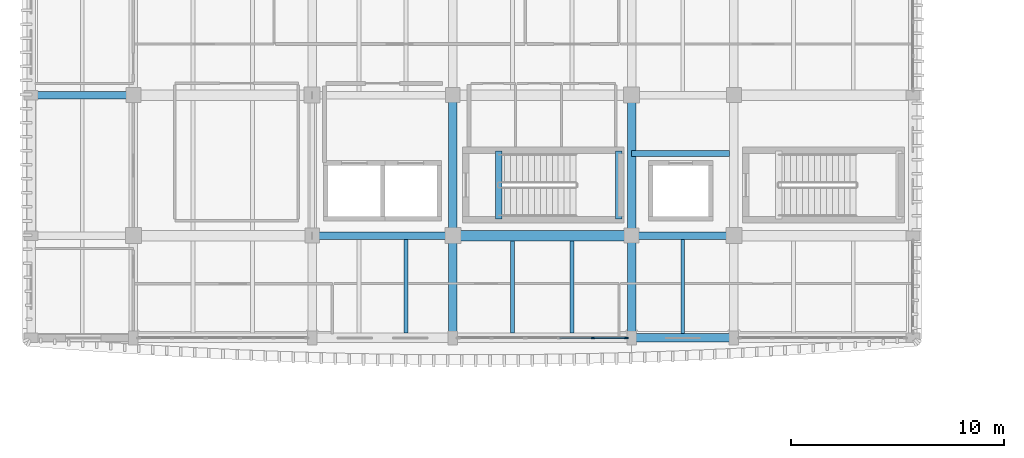
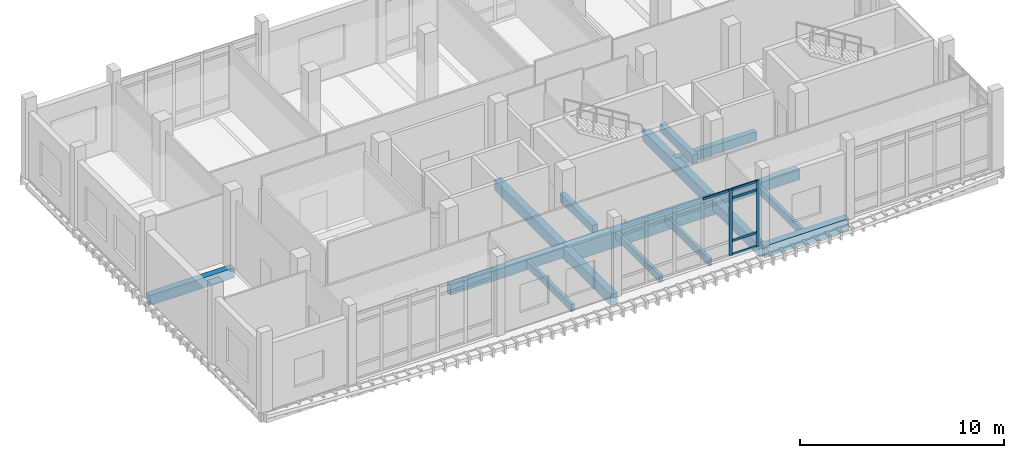
# One storey, part 3 of 39: 16 beams, 7 members, 1 element without a shape of its own.
"""IFC4 building model written with IfcOpenShell, lengths in metres."""

import ifcopenshell
import ifcopenshell.guid

model = None  # the IFC model being written
_history = None  # IfcOwnerHistory: only IFC2X3 demands one
_inside = {}  # id of a spatial element -> (the spatial element, [elements in it])
_under = {}  # id of a project, library or spatial element -> (it, [spatial elements below it])
_declared = {}  # id of a project -> (the project, [libraries it declares])
_typed = {}  # id of a type object -> (the type object, [elements of that type])
_made_of = {}  # id of a material, layer set ... -> (it, [elements and type objects made of it])


def new_model(schema):
    """Start an empty IFC model of exactly this schema.

    Asked for "IFC4X3", IfcOpenShell would pick the latest addendum, in which some entities
    have other attributes; the version numbers below select the first issue.
    IFC2X3 requires an IfcOwnerHistory on every rooted entity: one is made here for all.
    """
    global model, _history
    if schema == "IFC4X3":
        model = ifcopenshell.file(schema_version=(4, 3, 0, 0))
    else:
        model = ifcopenshell.file(schema=schema)
    _inside.clear()
    _under.clear()
    _declared.clear()
    _typed.clear()
    _made_of.clear()
    _history = None
    if model.schema == "IFC2X3":
        org = make("IfcOrganization", Name="unknown")
        user = make(
            "IfcPersonAndOrganization",
            ThePerson=make("IfcPerson", FamilyName="unknown"),
            TheOrganization=org,
        )
        app = make(
            "IfcApplication",
            ApplicationDeveloper=org,
            Version="unknown",
            ApplicationFullName="unknown",
            ApplicationIdentifier="unknown",
        )
        _history = make(
            "IfcOwnerHistory",
            OwningUser=user,
            OwningApplication=app,
            ChangeAction="ADDED",
            CreationDate=0,
        )
    return model


def make(cls, **values):
    """One entity of the class cls with the attributes given. An attribute that is None is left unset."""
    return model.create_entity(
        cls, **{name: value for name, value in values.items() if value is not None}
    )


def rooted(cls, **values):
    """An entity with a GlobalId (a new one), such as an element, a storey or a relation."""
    return make(cls, GlobalId=ifcopenshell.guid.new(), OwnerHistory=_history, **values)


def si_unit(unit_type, name, prefix=None):
    """IfcSIUnit, for example si_unit("LENGTHUNIT", "METRE", prefix="MILLI")."""
    return make("IfcSIUnit", UnitType=unit_type, Prefix=prefix, Name=name)


def assignment(units):
    """IfcUnitAssignment: the units of a project."""
    return None if units is None else make("IfcUnitAssignment", Units=units)


def point(xyz):
    """IfcCartesianPoint."""
    return None if xyz is None else make("IfcCartesianPoint", Coordinates=xyz)


def direction(xyz):
    """IfcDirection."""
    return None if xyz is None else make("IfcDirection", DirectionRatios=xyz)


def frame(location, z_axis=None, x_axis=None):
    """IfcAxis2Placement3D, a coordinate frame: its origin and axes. An axis left out is left unset."""
    return make(
        "IfcAxis2Placement3D",
        Location=point(location),
        Axis=direction(z_axis),
        RefDirection=direction(x_axis),
    )


def frame_2d(location, x_axis=None):
    """IfcAxis2Placement2D, a coordinate frame in the plane: its origin and x axis."""
    return make(
        "IfcAxis2Placement2D", Location=point(location), RefDirection=direction(x_axis)
    )


def origin():
    """The frame at (0, 0, 0) with its axes left unset."""
    return frame((0.0, 0.0, 0.0))


def origin_2d():
    """The frame at (0, 0) in the plane with its x axis left unset."""
    return frame_2d((0.0, 0.0))


def place(relative_to, where):
    """IfcLocalPlacement: puts the frame where relative to a parent placement (None: the world)."""
    return make(
        "IfcLocalPlacement", PlacementRelTo=relative_to, RelativePlacement=where
    )


def context(
    kind, dimensions, precision=None, world=None, true_north=None, identifier=None
):
    """IfcGeometricRepresentationContext, for example the 3D "Model" context."""
    return make(
        "IfcGeometricRepresentationContext",
        ContextIdentifier=identifier,
        ContextType=kind,
        CoordinateSpaceDimension=dimensions,
        Precision=precision,
        WorldCoordinateSystem=world,
        TrueNorth=true_north,
    )


def subcontext(parent, identifier, kind, view, scale=None):
    """IfcGeometricRepresentationSubContext, for example "Body" below "Model"."""
    return make(
        "IfcGeometricRepresentationSubContext",
        ContextIdentifier=identifier,
        ContextType=kind,
        ParentContext=parent,
        TargetScale=scale,
        TargetView=view,
    )


def project(units=None, contexts=None):
    """IfcProject with its units and contexts."""
    return rooted(
        "IfcProject",
        Name="project",
        RepresentationContexts=contexts,
        UnitsInContext=assignment(units),
    )


def spatial(cls, under=None, at=None, **own):
    """A site, building, storey or space (cls), placed at a placement, below another one or the project."""
    s = rooted(cls, ObjectPlacement=at, **own)
    if under is not None:
        _under.setdefault(under.id(), (under, []))[1].append(s)
    return s


def profile(cls, at=None, kind="AREA", **sizes):
    """A parametric profile (cls). Its sizes go by their IFC names, for example OverallWidth=200.0."""
    return make(cls, ProfileType=kind, Position=at, **sizes)


def rectangle(**sizes):
    """IfcRectangleProfileDef."""
    return profile("IfcRectangleProfileDef", **sizes)


def extrude(swept, where, along, depth):
    """IfcExtrudedAreaSolid: the profile swept, set in the frame where, extruded along a direction by depth."""
    return make(
        "IfcExtrudedAreaSolid",
        SweptArea=swept,
        Position=where,
        ExtrudedDirection=direction(along),
        Depth=depth,
    )


def shape(context_of_items, identifier, shape_type, items):
    """IfcShapeRepresentation: the items that make up one representation, for example the "Body"."""
    return make(
        "IfcShapeRepresentation",
        ContextOfItems=context_of_items,
        RepresentationIdentifier=identifier,
        RepresentationType=shape_type,
        Items=items,
    )


def material(Name=None, Category=None):
    """IfcMaterial."""
    return make("IfcMaterial", Name=Name, Category=Category)


def material_profile(
    of_material, cross_section, Name=None, Category=None, Priority=None
):
    """IfcMaterialProfile: a cross section and its material."""
    return make(
        "IfcMaterialProfile",
        Name=Name,
        Material=of_material,
        Profile=cross_section,
        Priority=Priority,
        Category=Category,
    )


def profile_set(profiles, Name=None, composite=None):
    """IfcMaterialProfileSet."""
    return make(
        "IfcMaterialProfileSet",
        Name=Name,
        MaterialProfiles=profiles,
        CompositeProfile=composite,
    )


def made_of(thing, what):
    """Note that an element or type object is made of a material, layer set ...; save() writes the relation."""
    if what is not None:
        _made_of.setdefault(what.id(), (what, []))[1].append(thing)
    return thing


def type_object(cls, material=None, **own):
    """A type object (cls), such as IfcWallType, which elements share."""
    return made_of(rooted(cls, **own), material)


def element(
    cls,
    number,
    at=None,
    inside=None,
    cuts=None,
    type_object=None,
    material=None,
    context=None,
    identifier="Body",
    shape_type=None,
    held_by="IfcProductDefinitionShape",
    body=None,
    shapes=None,
    **own,
):
    """One element of the class cls, such as IfcWall. Its Tag is "e" and its number.

    at: its placement. inside: the storey or other place that contains it. cuts: it is an
    opening in that element (IfcRelVoidsElement). A single representation is given by context,
    identifier, shape_type and body (its items); several are given by shapes. held_by: the class
    of the entity that holds the representations. save() writes the other relations.
    """
    e = rooted(cls, Tag="e%d" % number, ObjectPlacement=at, **own)
    if body is not None:
        shapes = [shape(context, identifier, shape_type, body)]
    if shapes is not None:
        e.Representation = make(held_by, Representations=shapes)
    if inside is not None:
        _inside.setdefault(inside.id(), (inside, []))[1].append(e)
    if cuts is not None:
        rooted(
            "IfcRelVoidsElement", RelatingBuildingElement=cuts, RelatedOpeningElement=e
        )
    if type_object is not None:
        _typed.setdefault(type_object.id(), (type_object, []))[1].append(e)
    return made_of(e, material)


def aggregate(whole, parts):
    """IfcRelAggregates: a whole, such as a stair, and the parts it consists of."""
    return rooted("IfcRelAggregates", RelatingObject=whole, RelatedObjects=parts)


def save(model, path):
    """Write the relations noted so far, then the file.

    IfcRelAggregates (storeys below a building ...), IfcRelContainedInSpatialStructure (elements
    in a storey), IfcRelDefinesByType, IfcRelAssociatesMaterial and IfcRelDeclares: one each for
    every whole, place, type object, material and project.
    """
    for whole, parts in _under.values():
        aggregate(whole, parts)
    for where, things in _inside.values():
        rooted(
            "IfcRelContainedInSpatialStructure",
            RelatedElements=things,
            RelatingStructure=where,
        )
    for kind, things in _typed.values():
        rooted("IfcRelDefinesByType", RelatedObjects=things, RelatingType=kind)
    for what, things in _made_of.values():
        rooted("IfcRelAssociatesMaterial", RelatedObjects=things, RelatingMaterial=what)
    for by, libraries in _declared.values():
        rooted("IfcRelDeclares", RelatingContext=by, RelatedDefinitions=libraries)
    model.write(path)


model = new_model("IFC4")

# Units and contexts
model_context = context("Model", 3, precision=1e-05, world=origin(), true_north=direction((0.0, 1.0)))
body_context = subcontext(model_context, "Body", "Model", "MODEL_VIEW")
ifc_project = project(units=[si_unit("LENGTHUNIT", "METRE"), si_unit("AREAUNIT", "SQUARE_METRE"), si_unit("VOLUMEUNIT", "CUBIC_METRE"), si_unit("PLANEANGLEUNIT", "RADIAN"), si_unit("MASSUNIT", "GRAM", prefix="KILO")], contexts=[model_context])

# Site, building, storey
site_placement = place(None, origin())
site = spatial("IfcSite", under=ifc_project, at=site_placement, CompositionType="ELEMENT")
building_placement = place(site_placement, origin())
building = spatial("IfcBuilding", under=site, at=building_placement, Name="Dornvale Research Institute", CompositionType="ELEMENT")
storey_placement = place(building_placement, frame((0.0, 0.0, 24.60009765625)))
storey = spatial("IfcBuildingStorey", under=building, at=storey_placement, Name="L05", CompositionType="ELEMENT", Elevation=24.60009765625)

# Beams
ifc_material_1 = material(Name="Concrete f'c 45 MPa (C35/45)", Category="concrete")
ifc_material_profile_1 = material_profile(ifc_material_1, rectangle(XDim=0.300048828125, YDim=0.5, at=origin_2d()), Name="RC 300x500")
ifc_profile_set_1 = profile_set([ifc_material_profile_1], Name="Concrete f'c 45 MPa (C35/45)")
beam_type_1 = type_object("IfcBeamType", Name="Beam_RC300x500_Trim", PredefinedType="BEAM", material=ifc_profile_set_1)
for number, where, z_axis, x_axis, name in (
    (1, (21.949951171875, 104.580078125, -0.25), (0.0, 1.0, 0.0), (-1.0, 0.0, 0.0), "L05 ST-1 stair landing trimmer beam #6"),
    (2, (27.60009765625, 104.580078125, 1.949951171875), (0.0, 1.0, 0.0), (-1.0, 0.0, 0.0), "L05 ST-1 half-landing support beam #19"),
):
    element("IfcBeam", number, at=place(storey_placement, frame(where, z_axis=z_axis, x_axis=x_axis)), inside=storey, type_object=beam_type_1, Name=name, PredefinedType="BEAM", context=body_context, shape_type="SweptSolid", body=[
        extrude(rectangle(XDim=0.300048828125, YDim=0.5, at=origin_2d()), origin(), (0.0, 0.0, 1.0), 3.199951171875),
    ])
ifc_material_2 = material(Name="Concrete f'c 45 MPa (C35/45)", Category="concrete")
ifc_material_profile_2 = material_profile(ifc_material_2, rectangle(XDim=0.35009765625, YDim=0.60009765625, at=origin_2d()), Name="RC 350x600")
ifc_profile_set_2 = profile_set([ifc_material_profile_2], Name="Concrete f'c 45 MPa (C35/45)")
beam_type_2 = type_object("IfcBeamType", Name="Beam_RC350x600_Floor", PredefinedType="BEAM", material=ifc_profile_set_2)
beam_1_placement = place(storey_placement, frame((13.199951171875, 103.800048828125, -0.300048828125), z_axis=(1.0, 0.0, 0.0), x_axis=(0.0, 1.0, 0.0)))
element("IfcBeam", 3, at=beam_1_placement, inside=storey, type_object=beam_type_2, Name="L05 primary girder #1331", PredefinedType="BEAM", context=body_context, shape_type="SweptSolid", body=[
    extrude(rectangle(XDim=0.35009765625, YDim=0.60009765625, at=origin_2d()), origin(), (0.0, 0.0, 1.0), 6.60009765625),
])
for number, where, z_axis, x_axis, name in (
    (4, (28.199951171875, 103.800048828125, -0.300048828125), (1.0, 0.0, 0.0), (0.0, 1.0, 0.0), "L05 primary girder #1333"),
    (5, (0.0, 110.39990234375, -0.300048828125), (1.0, 0.0, 0.0), (0.0, 1.0, 0.0), "L05 primary girder #1335"),
):
    element("IfcBeam", number, at=place(storey_placement, frame(where, z_axis=z_axis, x_axis=x_axis)), inside=storey, type_object=beam_type_2, Name=name, PredefinedType="BEAM", context=body_context, shape_type="SweptSolid", body=[
        extrude(rectangle(XDim=0.35009765625, YDim=0.60009765625, at=origin_2d()), origin(), (0.0, 0.0, 1.0), 4.800048828125),
    ])
ifc_material_3 = material(Name="Concrete f'c 45 MPa (C35/45)", Category="concrete")
ifc_material_profile_3 = material_profile(ifc_material_3, rectangle(XDim=0.39990234375, YDim=0.64990234375, at=origin_2d()), Name="RC 400x650")
ifc_profile_set_3 = profile_set([ifc_material_profile_3], Name="Concrete f'c 45 MPa (C35/45)")
beam_type_3 = type_object("IfcBeamType", Name="Beam_RC400x650_Floor", PredefinedType="BEAM", material=ifc_profile_set_3)
beam_2_placement = place(storey_placement, frame((19.800048828125, 99.0, -0.3251953125), z_axis=(0.0, 1.0, 0.0), x_axis=(-1.0, 0.0, 0.0)))
element("IfcBeam", 6, at=beam_2_placement, inside=storey, type_object=beam_type_3, Name="L05 transverse girder #1365", PredefinedType="BEAM", context=body_context, shape_type="SweptSolid", body=[
    extrude(rectangle(XDim=0.39990234375, YDim=0.64990234375, at=origin_2d()), origin(), (0.0, 0.0, 1.0), 4.800048828125),
])
beam_3_placement = place(storey_placement, frame((19.800048828125, 103.800048828125, -0.3251953125), z_axis=(0.0, 1.0, 0.0), x_axis=(-1.0, 0.0, 0.0)))
element("IfcBeam", 7, at=beam_3_placement, inside=storey, type_object=beam_type_3, Name="L05 transverse girder #1366", PredefinedType="BEAM", context=body_context, shape_type="SweptSolid", body=[
    extrude(rectangle(XDim=0.39990234375, YDim=0.64990234375, at=origin_2d()), origin(), (0.0, 0.0, 1.0), 6.599853515625),
])
beam_4_placement = place(storey_placement, frame((28.199951171875, 99.0, -0.3251953125), z_axis=(0.0, 1.0, 0.0), x_axis=(-1.0, 0.0, 0.0)))
element("IfcBeam", 8, at=beam_4_placement, inside=storey, type_object=beam_type_3, Name="L05 transverse girder #1369", PredefinedType="BEAM", context=body_context, shape_type="SweptSolid", body=[
    extrude(rectangle(XDim=0.39990234375, YDim=0.64990234375, at=origin_2d()), origin(), (0.0, 0.0, 1.0), 4.800048828125),
])
beam_5_placement = place(storey_placement, frame((28.199951171875, 103.800048828125, -0.3251953125), z_axis=(0.0, 1.0, 0.0), x_axis=(-1.0, 0.0, 0.0)))
element("IfcBeam", 9, at=beam_5_placement, inside=storey, type_object=beam_type_3, Name="L05 transverse girder #1370", PredefinedType="BEAM", context=body_context, shape_type="SweptSolid", body=[
    extrude(rectangle(XDim=0.39990234375, YDim=0.64990234375, at=origin_2d()), origin(), (0.0, 0.0, 1.0), 6.599853515625),
])
ifc_material_4 = material(Name="Concrete f'c 45 MPa (C35/45)", Category="concrete")
ifc_material_profile_4 = material_profile(ifc_material_4, rectangle(XDim=0.5, YDim=0.949951171875, at=origin_2d()), Name="RC 500x950")
ifc_profile_set_4 = profile_set([ifc_material_profile_4], Name="Concrete f'c 45 MPa (C35/45)")
beam_type_4 = type_object("IfcBeamType", Name="Beam_RC500x950_Girder", PredefinedType="BEAM", material=ifc_profile_set_4)
beam_6_placement = place(storey_placement, frame((19.800048828125, 103.800048828125, -0.47509765625), z_axis=(1.0, 0.0, 0.0), x_axis=(0.0, 1.0, 0.0)))
element("IfcBeam", 10, at=beam_6_placement, inside=storey, type_object=beam_type_4, Name="L05 primary girder #1332", PredefinedType="BEAM", context=body_context, shape_type="SweptSolid", body=[
    extrude(rectangle(XDim=0.5, YDim=0.949951171875, at=origin_2d()), origin(), (0.0, 0.0, 1.0), 8.39990234375),
])
ifc_material_5 = material(Name="Concrete f'c 45 MPa (C35/45)", Category="concrete")
ifc_material_profile_5 = material_profile(ifc_material_5, rectangle(XDim=0.179931640625, YDim=0.43505859375, at=origin_2d()), Name="RC 180x435")
ifc_profile_set_5 = profile_set([ifc_material_profile_5], Name="Concrete f'c 45 MPa (C35/45)")
beam_type_5 = type_object("IfcBeamType", Name="Joist_RC180x435_Rib", PredefinedType="JOIST", material=ifc_profile_set_5)
beam_7_placement = place(storey_placement, frame((17.60009765625, 99.22509765625, -0.217529296875), z_axis=(0.0, 1.0, 0.0), x_axis=(-1.0, 0.0, 0.0)))
element("IfcBeam", 11, at=beam_7_placement, inside=storey, type_object=beam_type_5, Name="L05 laboratory waffle joist #638", PredefinedType="JOIST", context=body_context, shape_type="SweptSolid", body=[
    extrude(rectangle(XDim=0.179931640625, YDim=0.43505859375, at=origin_2d()), origin(), (0.0, 0.0, 1.0), 4.39990234375),
])
for number, where, z_axis, x_axis, name in (
    (12, (22.60009765625, 99.22509765625, -0.217529296875), (0.0, 1.0, 0.0), (-1.0, 0.0, 0.0), "L05 laboratory waffle joist #643"),
    (13, (25.39990234375, 99.22509765625, -0.217529296875), (0.0, 1.0, 0.0), (-1.0, 0.0, 0.0), "L05 laboratory waffle joist #644"),
):
    element("IfcBeam", number, at=place(storey_placement, frame(where, z_axis=z_axis, x_axis=x_axis)), inside=storey, type_object=beam_type_5, Name=name, PredefinedType="JOIST", context=body_context, shape_type="SweptSolid", body=[
        extrude(rectangle(XDim=0.179931640625, YDim=0.43505859375, at=origin_2d()), origin(), (0.0, 0.0, 1.0), 4.324951171875),
    ])
beam_8_placement = place(storey_placement, frame((30.60009765625, 99.199951171875, -0.217529296875), z_axis=(0.0, 1.0, 0.0), x_axis=(-1.0, 0.0, 0.0)))
element("IfcBeam", 14, at=beam_8_placement, inside=storey, type_object=beam_type_5, Name="L05 laboratory waffle joist #649", PredefinedType="JOIST", context=body_context, shape_type="SweptSolid", body=[
    extrude(rectangle(XDim=0.179931640625, YDim=0.43505859375, at=origin_2d()), origin(), (0.0, 0.0, 1.0), 4.425048828125),
])
ifc_material_6 = material(Name="Concrete f'c 45 MPa (C35/45)", Category="concrete")
ifc_material_profile_6 = material_profile(ifc_material_6, rectangle(XDim=0.300048828125, YDim=0.550048828125, at=origin_2d()), Name="RC 300x550")
ifc_profile_set_6 = profile_set([ifc_material_profile_6], Name="Concrete f'c 45 MPa (C35/45)")
beam_type_6 = type_object("IfcBeamType", Name="Lintel_RC300x550_Core", PredefinedType="LINTEL", material=ifc_profile_set_6)
beam_9_placement = place(storey_placement, frame((28.199951171875, 107.659912109375, -0.275146484375), z_axis=(1.0, 0.0, 0.0), x_axis=(0.0, 1.0, 0.0)))
element("IfcBeam", 15, at=beam_9_placement, inside=storey, type_object=beam_type_6, Name="L05 core coupling lintel #2031", PredefinedType="LINTEL", context=body_context, shape_type="SweptSolid", body=[
    extrude(rectangle(XDim=0.300048828125, YDim=0.550048828125, at=origin_2d()), origin(), (0.0, 0.0, 1.0), 4.60009765625),
])

# Curtain wall, members
ifc_material_7 = material(Name="Low-E Argon Double Insulating Glazing Unit", Category="glass")
curtain_wall_type = type_object("IfcCurtainWallType", Name="UnitisedCurtainWall_V5_7950x3950", PredefinedType="USERDEFINED", material=ifc_material_7)
curtain_wall_placement = place(storey_placement, origin())
curtain_wall = element("IfcCurtainWall", 16, at=curtain_wall_placement, inside=storey, type_object=curtain_wall_type, Name="L05 V5 unitised curtain wall CW-30 #171", ObjectType="UNITISED CURTAIN WALL", PredefinedType="USERDEFINED")
ifc_material_8 = material(Name="Anodized Aluminum AA 6063-T6 Thermally Broken Frame", Category="aluminium")
ifc_material_profile_7 = material_profile(ifc_material_8, rectangle(XDim=0.06494140625, YDim=0.179931640625, at=origin_2d()), Name="ALU MULLION 65x180")
ifc_profile_set_7 = profile_set([ifc_material_profile_7], Name="Anodized Aluminum AA 6063-T6 Thermally Broken Frame")
member_type_1 = type_object("IfcMemberType", Name="Mullion_CW_65x180", PredefinedType="MULLION", material=ifc_profile_set_7)
member_1_placement = place(storey_placement, frame((27.9423828125, 99.0, 0.0), z_axis=(0.0, 0.0, 1.0), x_axis=(0.0, -1.0, 0.0)))
member_1 = element("IfcMember", 17, at=member_1_placement, type_object=member_type_1, Name="CW-30 mullion 1", PredefinedType="MULLION", context=body_context, shape_type="SweptSolid", body=[
    extrude(rectangle(XDim=0.06494140625, YDim=0.179931640625, at=origin_2d()), origin(), (0.0, 0.0, 1.0), 3.949951171875),
])
member_2_placement = place(storey_placement, frame((26.385009765625, 99.0, 0.0), z_axis=(0.0, 0.0, 1.0), x_axis=(0.0, -1.0, 0.0)))
member_2 = element("IfcMember", 18, at=member_2_placement, type_object=member_type_1, Name="CW-30 mullion 2", PredefinedType="MULLION", context=body_context, shape_type="SweptSolid", body=[
    extrude(rectangle(XDim=0.06494140625, YDim=0.179931640625, at=origin_2d()), origin(), (0.0, 0.0, 1.0), 3.949951171875),
])

# Beam
ifc_material_9 = material(Name="Concrete f'c 45 MPa (C35/45)", Category="concrete")
ifc_material_profile_8 = material_profile(ifc_material_9, rectangle(XDim=0.39990234375, YDim=0.699951171875, at=origin_2d()), Name="RC 400x700")
ifc_profile_set_8 = profile_set([ifc_material_profile_8], Name="Concrete f'c 45 MPa (C35/45)")
beam_type_7 = type_object("IfcBeamType", Name="Spandrel_RC400x700_Ext", PredefinedType="SPANDREL", material=ifc_profile_set_8)
beam_10_placement = place(storey_placement, frame((28.199951171875, 99.0, -0.35009765625), z_axis=(1.0, 0.0, 0.0), x_axis=(0.0, 1.0, 0.0)))
element("IfcBeam", 19, at=beam_10_placement, inside=storey, type_object=beam_type_7, Name="L05 perimeter spandrel #1327", PredefinedType="SPANDREL", context=body_context, shape_type="SweptSolid", body=[
    extrude(rectangle(XDim=0.39990234375, YDim=0.699951171875, at=origin_2d()), origin(), (0.0, 0.0, 1.0), 4.800048828125),
])

# Member
ifc_material_10 = material(Name="Anodized Aluminum AA 6063-T6 Thermally Broken Frame", Category="aluminium")
ifc_material_profile_9 = material_profile(ifc_material_10, rectangle(XDim=0.06494140625, YDim=0.135009765625, at=origin_2d()), Name="ALU TRANSOM 65x135")
ifc_profile_set_9 = profile_set([ifc_material_profile_9], Name="Anodized Aluminum AA 6063-T6 Thermally Broken Frame")
member_type_2 = type_object("IfcMemberType", Name="Transom_CW_65x135", PredefinedType="USERDEFINED", material=ifc_profile_set_9)
member_3_placement = place(storey_placement, frame((27.909912109375, 99.0, 0.032470703125), z_axis=(-1.0, 0.0, 0.0), x_axis=(0.0, -1.0, 0.0)))
member_3 = element("IfcMember", 20, at=member_3_placement, type_object=member_type_2, Name="CW-30 transom 1.1", ObjectType="TRANSOM", PredefinedType="USERDEFINED", context=body_context, shape_type="SweptSolid", body=[
    extrude(rectangle(XDim=0.06494140625, YDim=0.135009765625, at=origin_2d()), origin(), (0.0, 0.0, 1.0), 1.492431640625),
])

member_4_placement = place(storey_placement, frame((27.909912109375, 99.0, 0.849853515625), z_axis=(-1.0, 0.0, 0.0), x_axis=(0.0, -1.0, 0.0)))
member_4 = element("IfcMember", 21, at=member_4_placement, type_object=member_type_2, Name="CW-30 transom 1.2", ObjectType="TRANSOM", PredefinedType="USERDEFINED", context=body_context, shape_type="SweptSolid", body=[
    extrude(rectangle(XDim=0.06494140625, YDim=0.135009765625, at=origin_2d()), origin(), (0.0, 0.0, 1.0), 1.492431640625),
])

member_5_placement = place(storey_placement, frame((27.909912109375, 99.0, 3.39990234375), z_axis=(-1.0, 0.0, 0.0), x_axis=(0.0, -1.0, 0.0)))
member_5 = element("IfcMember", 22, at=member_5_placement, type_object=member_type_2, Name="CW-30 transom 1.3", ObjectType="TRANSOM", PredefinedType="USERDEFINED", context=body_context, shape_type="SweptSolid", body=[
    extrude(rectangle(XDim=0.06494140625, YDim=0.135009765625, at=origin_2d()), origin(), (0.0, 0.0, 1.0), 1.492431640625),
])

member_6_placement = place(storey_placement, frame((27.909912109375, 99.0, 3.91748046875), z_axis=(-1.0, 0.0, 0.0), x_axis=(0.0, -1.0, 0.0)))
member_6 = element("IfcMember", 23, at=member_6_placement, type_object=member_type_2, Name="CW-30 transom 1.4", ObjectType="TRANSOM", PredefinedType="USERDEFINED", context=body_context, shape_type="SweptSolid", body=[
    extrude(rectangle(XDim=0.06494140625, YDim=0.135009765625, at=origin_2d()), origin(), (0.0, 0.0, 1.0), 1.492431640625),
])

member_7_placement = place(storey_placement, frame((26.3525390625, 99.0, 3.91748046875), z_axis=(-1.0, 0.0, 0.0), x_axis=(0.0, -1.0, 0.0)))
member_7 = element("IfcMember", 24, at=member_7_placement, type_object=member_type_2, Name="CW-30 transom 2.4", ObjectType="TRANSOM", PredefinedType="USERDEFINED", context=body_context, shape_type="SweptSolid", body=[
    extrude(rectangle(XDim=0.06494140625, YDim=0.135009765625, at=origin_2d()), origin(), (0.0, 0.0, 1.0), 1.525146484375),
])

aggregate(curtain_wall, [member_1, member_2, member_3, member_4, member_5, member_6, member_7])

save(model, "model.ifc")
